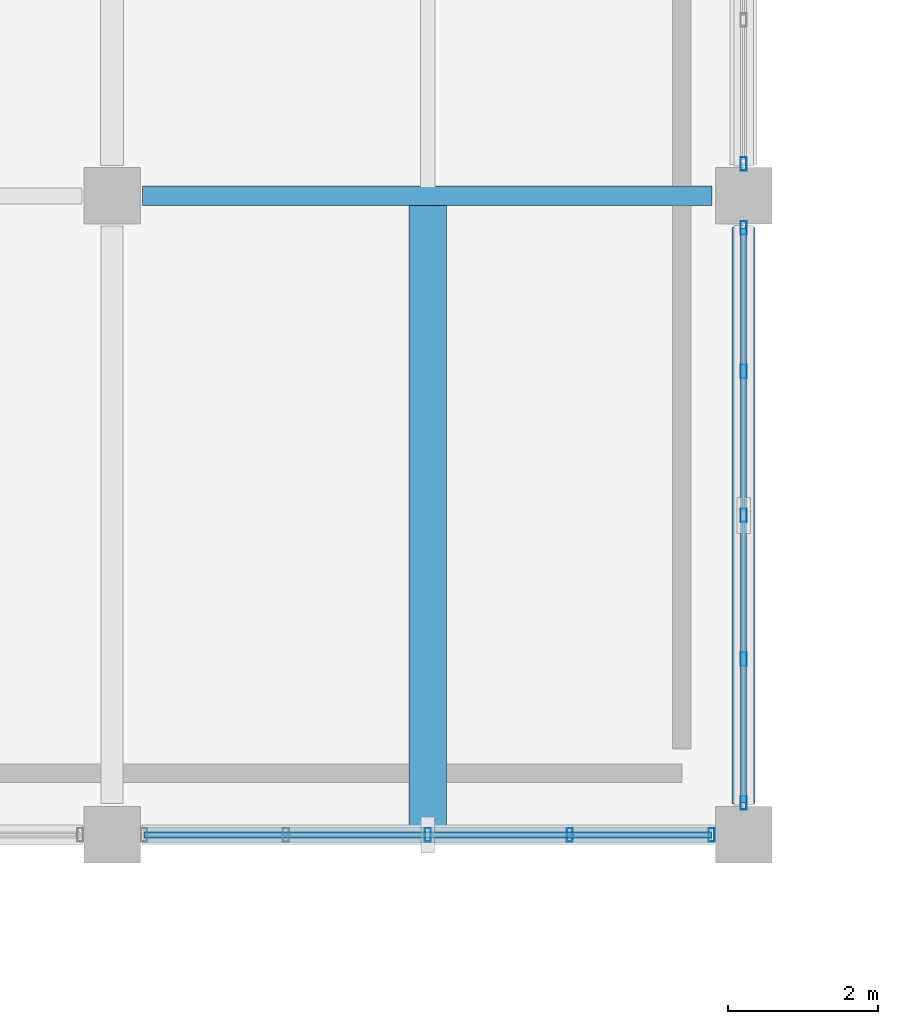
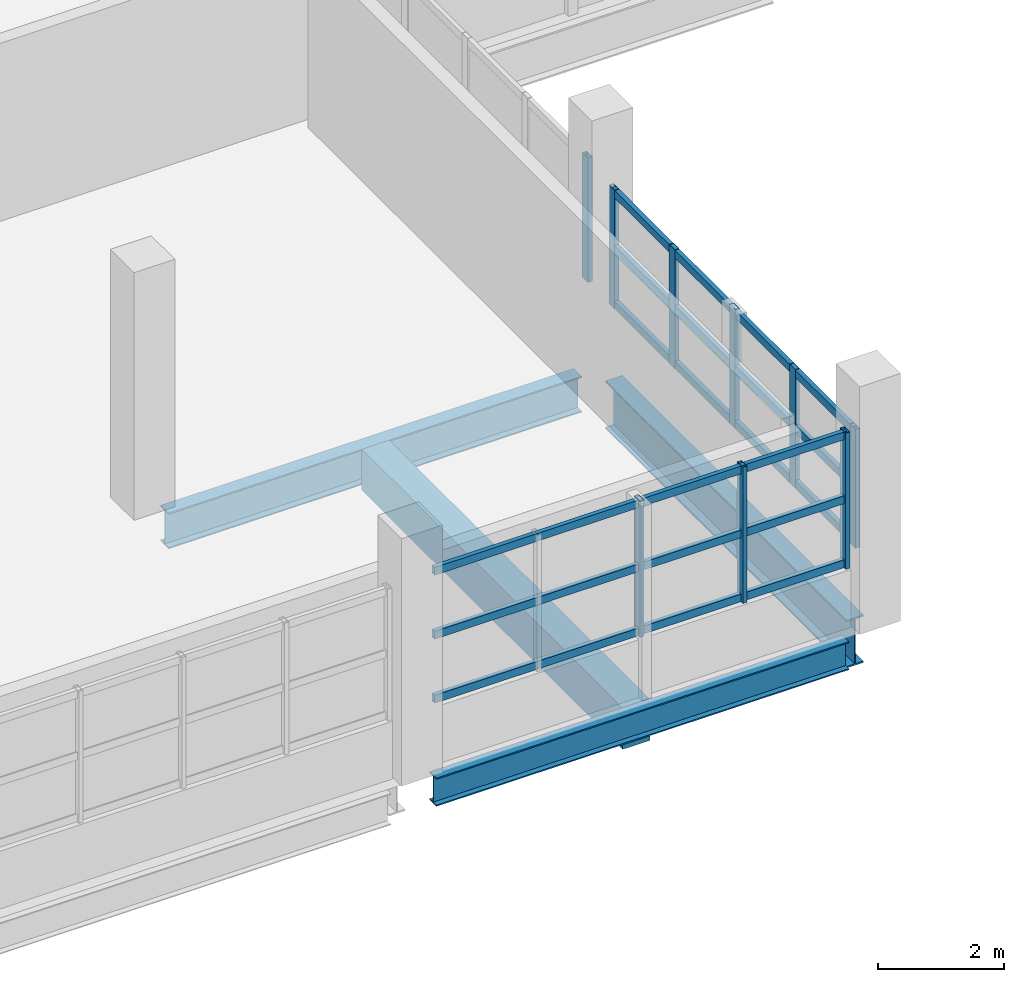
# One storey, part 33 of 117: 15 members, 4 beams, 3 elements without a shape of their own.
"""IFC4 building model written with IfcOpenShell, lengths in metres."""

from ifc_helpers import new_model, si_unit, direction, frame, origin, origin_2d, place, context, subcontext, project, spatial, rectangle, hollow_rectangle, i_section, extrude, material, material_profile, profile_set, type_object, element, aggregate, save


model = new_model("IFC4")

# Units and contexts
model_context = context("Model", 3, precision=1e-05, world=origin(), true_north=direction((0.0, 1.0)))
body_context = subcontext(model_context, "Body", "Model", "MODEL_VIEW")
ifc_project = project(units=[si_unit("LENGTHUNIT", "METRE"), si_unit("AREAUNIT", "SQUARE_METRE"), si_unit("VOLUMEUNIT", "CUBIC_METRE"), si_unit("PLANEANGLEUNIT", "RADIAN"), si_unit("MASSUNIT", "GRAM", prefix="KILO")], contexts=[model_context])

# Site, building, storey
site_placement = place(None, origin())
site = spatial("IfcSite", under=ifc_project, at=site_placement, CompositionType="ELEMENT")
building_placement = place(site_placement, origin())
building = spatial("IfcBuilding", under=site, at=building_placement, Name="Solvento Point Concert Hall", CompositionType="ELEMENT")
storey_placement = place(building_placement, frame((0.0, 0.0, 5.39990234375)))
storey = spatial("IfcBuildingStorey", under=building, at=storey_placement, Name="L01", CompositionType="ELEMENT", Elevation=5.39990234375)

# Beams
ifc_material_1 = material(Name="Concrete C35/45", Category="concrete")
ifc_material_profile_1 = material_profile(ifc_material_1, rectangle(XDim=0.5, YDim=0.800048828125, at=origin_2d()), Name="RC-BM-500X800")
ifc_profile_set_1 = profile_set([ifc_material_profile_1], Name="Concrete C35/45")
beam_type_1 = type_object("IfcBeamType", Name="Beam_RC_500x800", PredefinedType="BEAM", material=ifc_profile_set_1)
beam_1_placement = place(storey_placement, frame((19.800048828125, 102.092041015625, -0.683837890625), z_axis=(0.0, 1.0, 0.0), x_axis=(-1.0, 0.0, 0.0)))
element("IfcBeam", 1, at=beam_1_placement, inside=storey, type_object=beam_type_1, Name="Secondary floor joist B-63 L01", PredefinedType="BEAM", context=body_context, shape_type="SweptSolid", body=[
    extrude(rectangle(XDim=0.5, YDim=0.800048828125, at=origin_2d()), origin(), (0.0, 0.0, 1.0), 8.294921875),
])
ifc_material_2 = material(Name="Structural Steel ASTM A992 Grade 50", Category="steel")
ifc_material_profile_2 = material_profile(ifc_material_2, i_section(OverallWidth=0.214111328125, OverallDepth=0.549072265625, WebThickness=0.0146484375, FlangeThickness=0.023681640625, at=origin_2d()), Name="W21X93")
ifc_profile_set_2 = profile_set([ifc_material_profile_2], Name="Structural Steel ASTM A992 Grade 50")
beam_type_2 = type_object("IfcBeamType", Name="Beam_W21X93", PredefinedType="BEAM", material=ifc_profile_set_2)
beam_2_placement = place(storey_placement, frame((16.01904296875, 102.0, -0.558349609375), z_axis=(1.0, 0.0, 0.0), x_axis=(0.0, 1.0, 0.0)))
element("IfcBeam", 2, at=beam_2_placement, inside=storey, type_object=beam_type_2, Name="Primary girder B-48 L01", PredefinedType="BEAM", context=body_context, shape_type="SweptSolid", body=[
    extrude(i_section(OverallWidth=0.214111328125, OverallDepth=0.549072265625, WebThickness=0.0146484375, FlangeThickness=0.023681640625, at=origin_2d()), origin(), (0.0, 0.0, 1.0), 7.56201171875),
])
ifc_material_3 = material(Name="Structural Steel ASTM A992 Grade 50", Category="steel")
ifc_material_profile_3 = material_profile(ifc_material_3, i_section(OverallWidth=0.256103515625, OverallDepth=0.693115234375, WebThickness=0.014404296875, FlangeThickness=0.023681640625, at=origin_2d()), Name="W27X114")
ifc_profile_set_3 = profile_set([ifc_material_profile_3], Name="Structural Steel ASTM A992 Grade 50")
beam_type_3 = type_object("IfcBeamType", Name="Girder_W27X114", PredefinedType="USERDEFINED", material=ifc_profile_set_3)
beam_3_placement = place(storey_placement, frame((16.00390625, 110.5, -0.63037109375), z_axis=(1.0, 0.0, 0.0), x_axis=(0.0, 1.0, 0.0)))
element("IfcBeam", 3, at=beam_3_placement, inside=storey, type_object=beam_type_3, Name="Primary girder B-23 L01", ObjectType="GIRDER", PredefinedType="USERDEFINED", context=body_context, shape_type="SweptSolid", body=[
    extrude(i_section(OverallWidth=0.256103515625, OverallDepth=0.693115234375, WebThickness=0.014404296875, FlangeThickness=0.023681640625, at=origin_2d()), origin(), (0.0, 0.0, 1.0), 7.5771484375),
])
ifc_material_4 = material(Name="Structural Steel ASTM A992 Grade 50", Category="steel")
ifc_material_profile_4 = material_profile(ifc_material_4, i_section(OverallWidth=0.3076171875, OverallDepth=0.927001953125, WebThickness=0.019287109375, FlangeThickness=0.031982421875, at=origin_2d()), Name="W36X194")
ifc_profile_set_4 = profile_set([ifc_material_profile_4], Name="Structural Steel ASTM A992 Grade 50")
beam_type_4 = type_object("IfcBeamType", Name="Girder_W36X194", PredefinedType="USERDEFINED", material=ifc_profile_set_4)
beam_4_placement = place(storey_placement, frame((24.0, 102.4189453125, -0.747314453125), z_axis=(0.0, 1.0, 0.0), x_axis=(-1.0, 0.0, 0.0)))
element("IfcBeam", 4, at=beam_4_placement, inside=storey, type_object=beam_type_4, Name="Primary girder B-61 L01", ObjectType="GIRDER", PredefinedType="USERDEFINED", context=body_context, shape_type="SweptSolid", body=[
    extrude(i_section(OverallWidth=0.3076171875, OverallDepth=0.927001953125, WebThickness=0.019287109375, FlangeThickness=0.031982421875, at=origin_2d()), origin(), (0.0, 0.0, 1.0), 7.662109375),
])

# Curtain wall, members
ifc_material_5 = material(Name="Anodized Bronze Aluminium", Category="aluminium")
curtain_wall_type = type_object("IfcCurtainWallType", Name="CurtainWall_CourtPilotis", PredefinedType="USERDEFINED", material=ifc_material_5)
curtain_wall_1_placement = place(storey_placement, origin())
curtain_wall_1 = element("IfcCurtainWall", 5, at=curtain_wall_1_placement, inside=storey, type_object=curtain_wall_type, Name="Unitised curtain wall CW-96 UCW-L01-140", ObjectType="UNITISED CURTAIN WALL", PredefinedType="USERDEFINED")
ifc_material_6 = material(Name="Anodized Bronze Aluminium", Category="aluminium")
ifc_material_profile_5 = material_profile(ifc_material_6, hollow_rectangle(XDim=0.080078125, YDim=0.179931640625, WallThickness=0.00390625, at=origin_2d()), Name="CW-MUL-80X180")
ifc_profile_set_5 = profile_set([ifc_material_profile_5], Name="Anodized Bronze Aluminium")
member_type_1 = type_object("IfcMemberType", Name="Mullion_80x180", PredefinedType="MULLION", material=ifc_profile_set_5)
member_1_placement = place(storey_placement, frame((24.0, 102.425048828125, 1.1201171875), z_axis=(0.0, 0.0, 1.0), x_axis=(1.0, 0.0, 0.0)))
member_1 = element("IfcMember", 6, at=member_1_placement, type_object=member_type_1, Name="Curtain wall mullion ML-01", PredefinedType="MULLION", context=body_context, shape_type="SweptSolid", body=[
    extrude(hollow_rectangle(XDim=0.080078125, YDim=0.179931640625, WallThickness=0.00390625, at=origin_2d()), origin(), (0.0, 0.0, 1.0), 2.307861328125),
])
member_2_placement = place(storey_placement, frame((24.0, 104.33740234375, 1.1201171875), z_axis=(0.0, 0.0, 1.0), x_axis=(1.0, 0.0, 0.0)))
member_2 = element("IfcMember", 7, at=member_2_placement, type_object=member_type_1, Name="Curtain wall mullion ML-01", PredefinedType="MULLION", context=body_context, shape_type="SweptSolid", body=[
    extrude(hollow_rectangle(XDim=0.080078125, YDim=0.179931640625, WallThickness=0.00390625, at=origin_2d()), origin(), (0.0, 0.0, 1.0), 2.307861328125),
])
member_3_placement = place(storey_placement, frame((24.0, 106.25, 1.1201171875), z_axis=(0.0, 0.0, 1.0), x_axis=(1.0, 0.0, 0.0)))
member_3 = element("IfcMember", 8, at=member_3_placement, type_object=member_type_1, Name="Curtain wall mullion ML-01", PredefinedType="MULLION", context=body_context, shape_type="SweptSolid", body=[
    extrude(hollow_rectangle(XDim=0.080078125, YDim=0.179931640625, WallThickness=0.00390625, at=origin_2d()), origin(), (0.0, 0.0, 1.0), 2.307861328125),
])
member_4_placement = place(storey_placement, frame((24.0, 108.16259765625, 1.1201171875), z_axis=(0.0, 0.0, 1.0), x_axis=(1.0, 0.0, 0.0)))
member_4 = element("IfcMember", 9, at=member_4_placement, type_object=member_type_1, Name="Curtain wall mullion ML-01", PredefinedType="MULLION", context=body_context, shape_type="SweptSolid", body=[
    extrude(hollow_rectangle(XDim=0.080078125, YDim=0.179931640625, WallThickness=0.00390625, at=origin_2d()), origin(), (0.0, 0.0, 1.0), 2.307861328125),
])
member_5_placement = place(storey_placement, frame((24.0, 110.074951171875, 1.1201171875), z_axis=(0.0, 0.0, 1.0), x_axis=(1.0, 0.0, 0.0)))
member_5 = element("IfcMember", 10, at=member_5_placement, type_object=member_type_1, Name="Curtain wall mullion ML-01", PredefinedType="MULLION", context=body_context, shape_type="SweptSolid", body=[
    extrude(hollow_rectangle(XDim=0.080078125, YDim=0.179931640625, WallThickness=0.00390625, at=origin_2d()), origin(), (0.0, 0.0, 1.0), 2.307861328125),
])

# Curtain wall, member
curtain_wall_2_placement = place(storey_placement, origin())
curtain_wall_2 = element("IfcCurtainWall", 11, at=curtain_wall_2_placement, inside=storey, type_object=curtain_wall_type, Name="Unitised curtain wall CW-96 UCW-L01-141", ObjectType="UNITISED CURTAIN WALL", PredefinedType="USERDEFINED")
member_6_placement = place(storey_placement, frame((24.0, 110.925048828125, 1.1201171875), z_axis=(0.0, 0.0, 1.0), x_axis=(1.0, 0.0, 0.0)))
member_6 = element("IfcMember", 12, at=member_6_placement, type_object=member_type_1, Name="Curtain wall mullion ML-01", PredefinedType="MULLION", context=body_context, shape_type="SweptSolid", body=[
    extrude(hollow_rectangle(XDim=0.080078125, YDim=0.179931640625, WallThickness=0.00390625, at=origin_2d()), origin(), (0.0, 0.0, 1.0), 2.4140625),
])
aggregate(curtain_wall_2, [member_6])

# Curtain wall, members
curtain_wall_3_placement = place(storey_placement, origin())
curtain_wall_3 = element("IfcCurtainWall", 13, at=curtain_wall_3_placement, inside=storey, type_object=curtain_wall_type, Name="Unitised curtain wall CW-96 UCW-L01-144", ObjectType="UNITISED CURTAIN WALL", PredefinedType="USERDEFINED")
member_7_placement = place(storey_placement, frame((19.800048828125, 102.0, 1.1201171875), z_axis=(0.0, 0.0, 1.0), x_axis=(1.0, 0.0, 0.0)))
member_7 = element("IfcMember", 14, at=member_7_placement, type_object=member_type_1, Name="Curtain wall mullion ML-01", PredefinedType="MULLION", context=body_context, shape_type="SweptSolid", body=[
    extrude(hollow_rectangle(XDim=0.080078125, YDim=0.179931640625, WallThickness=0.00390625, at=origin_2d()), origin(), (0.0, 0.0, 1.0), 2.640869140625),
])
member_8_placement = place(storey_placement, frame((21.6875, 102.0, 1.1201171875), z_axis=(0.0, 0.0, 1.0), x_axis=(1.0, 0.0, 0.0)))
member_8 = element("IfcMember", 15, at=member_8_placement, type_object=member_type_1, Name="Curtain wall mullion ML-01", PredefinedType="MULLION", context=body_context, shape_type="SweptSolid", body=[
    extrude(hollow_rectangle(XDim=0.080078125, YDim=0.179931640625, WallThickness=0.00390625, at=origin_2d()), origin(), (0.0, 0.0, 1.0), 2.640869140625),
])
member_9_placement = place(storey_placement, frame((23.574951171875, 102.0, 1.1201171875), z_axis=(0.0, 0.0, 1.0), x_axis=(1.0, 0.0, 0.0)))
member_9 = element("IfcMember", 16, at=member_9_placement, type_object=member_type_1, Name="Curtain wall mullion ML-01", PredefinedType="MULLION", context=body_context, shape_type="SweptSolid", body=[
    extrude(hollow_rectangle(XDim=0.080078125, YDim=0.179931640625, WallThickness=0.00390625, at=origin_2d()), origin(), (0.0, 0.0, 1.0), 2.640869140625),
])

# Member
ifc_material_7 = material(Name="Anodized Bronze Aluminium", Category="aluminium")
ifc_material_profile_6 = material_profile(ifc_material_7, hollow_rectangle(XDim=0.080078125, YDim=0.14990234375, WallThickness=0.00390625, at=origin_2d()), Name="CW-TRN-80X150")
ifc_profile_set_6 = profile_set([ifc_material_profile_6], Name="Anodized Bronze Aluminium")
member_type_2 = type_object("IfcMemberType", Name="Transom_80x150", PredefinedType="USERDEFINED", material=ifc_profile_set_6)
member_10_placement = place(storey_placement, frame((24.0, 102.425048828125, 1.2001953125), z_axis=(0.0, 1.0, 0.0), x_axis=(-1.0, 0.0, 0.0)))
member_10 = element("IfcMember", 17, at=member_10_placement, type_object=member_type_2, Name="Curtain wall transom TR-01", ObjectType="TRANSOM", PredefinedType="USERDEFINED", context=body_context, shape_type="SweptSolid", body=[
    extrude(hollow_rectangle(XDim=0.080078125, YDim=0.14990234375, WallThickness=0.00390625, at=origin_2d()), origin(), (0.0, 0.0, 1.0), 7.64990234375),
])

member_11_placement = place(storey_placement, frame((24.0, 102.425048828125, 2.274169921875), z_axis=(0.0, 1.0, 0.0), x_axis=(-1.0, 0.0, 0.0)))
member_11 = element("IfcMember", 18, at=member_11_placement, type_object=member_type_2, Name="Curtain wall transom TR-01", ObjectType="TRANSOM", PredefinedType="USERDEFINED", context=body_context, shape_type="SweptSolid", body=[
    extrude(hollow_rectangle(XDim=0.080078125, YDim=0.14990234375, WallThickness=0.00390625, at=origin_2d()), origin(), (0.0, 0.0, 1.0), 7.64990234375),
])

member_12_placement = place(storey_placement, frame((24.0, 102.425048828125, 3.34814453125), z_axis=(0.0, 1.0, 0.0), x_axis=(-1.0, 0.0, 0.0)))
member_12 = element("IfcMember", 19, at=member_12_placement, type_object=member_type_2, Name="Curtain wall transom TR-01", ObjectType="TRANSOM", PredefinedType="USERDEFINED", context=body_context, shape_type="SweptSolid", body=[
    extrude(hollow_rectangle(XDim=0.080078125, YDim=0.14990234375, WallThickness=0.00390625, at=origin_2d()), origin(), (0.0, 0.0, 1.0), 7.64990234375),
])

aggregate(curtain_wall_1, [member_1, member_2, member_3, member_4, member_5, member_10, member_11, member_12])

member_13_placement = place(storey_placement, frame((16.02490234375, 102.0, 1.2001953125), z_axis=(1.0, 0.0, 0.0), x_axis=(0.0, 1.0, 0.0)))
member_13 = element("IfcMember", 20, at=member_13_placement, type_object=member_type_2, Name="Curtain wall transom TR-01", ObjectType="TRANSOM", PredefinedType="USERDEFINED", context=body_context, shape_type="SweptSolid", body=[
    extrude(hollow_rectangle(XDim=0.080078125, YDim=0.14990234375, WallThickness=0.00390625, at=origin_2d()), origin(), (0.0, 0.0, 1.0), 7.550048828125),
])

member_14_placement = place(storey_placement, frame((16.02490234375, 102.0, 2.440673828125), z_axis=(1.0, 0.0, 0.0), x_axis=(0.0, 1.0, 0.0)))
member_14 = element("IfcMember", 21, at=member_14_placement, type_object=member_type_2, Name="Curtain wall transom TR-01", ObjectType="TRANSOM", PredefinedType="USERDEFINED", context=body_context, shape_type="SweptSolid", body=[
    extrude(hollow_rectangle(XDim=0.080078125, YDim=0.14990234375, WallThickness=0.00390625, at=origin_2d()), origin(), (0.0, 0.0, 1.0), 7.550048828125),
])

member_15_placement = place(storey_placement, frame((16.02490234375, 102.0, 3.68115234375), z_axis=(1.0, 0.0, 0.0), x_axis=(0.0, 1.0, 0.0)))
member_15 = element("IfcMember", 22, at=member_15_placement, type_object=member_type_2, Name="Curtain wall transom TR-01", ObjectType="TRANSOM", PredefinedType="USERDEFINED", context=body_context, shape_type="SweptSolid", body=[
    extrude(hollow_rectangle(XDim=0.080078125, YDim=0.14990234375, WallThickness=0.00390625, at=origin_2d()), origin(), (0.0, 0.0, 1.0), 7.550048828125),
])

aggregate(curtain_wall_3, [member_7, member_8, member_9, member_13, member_14, member_15])

save(model, "model.ifc")
